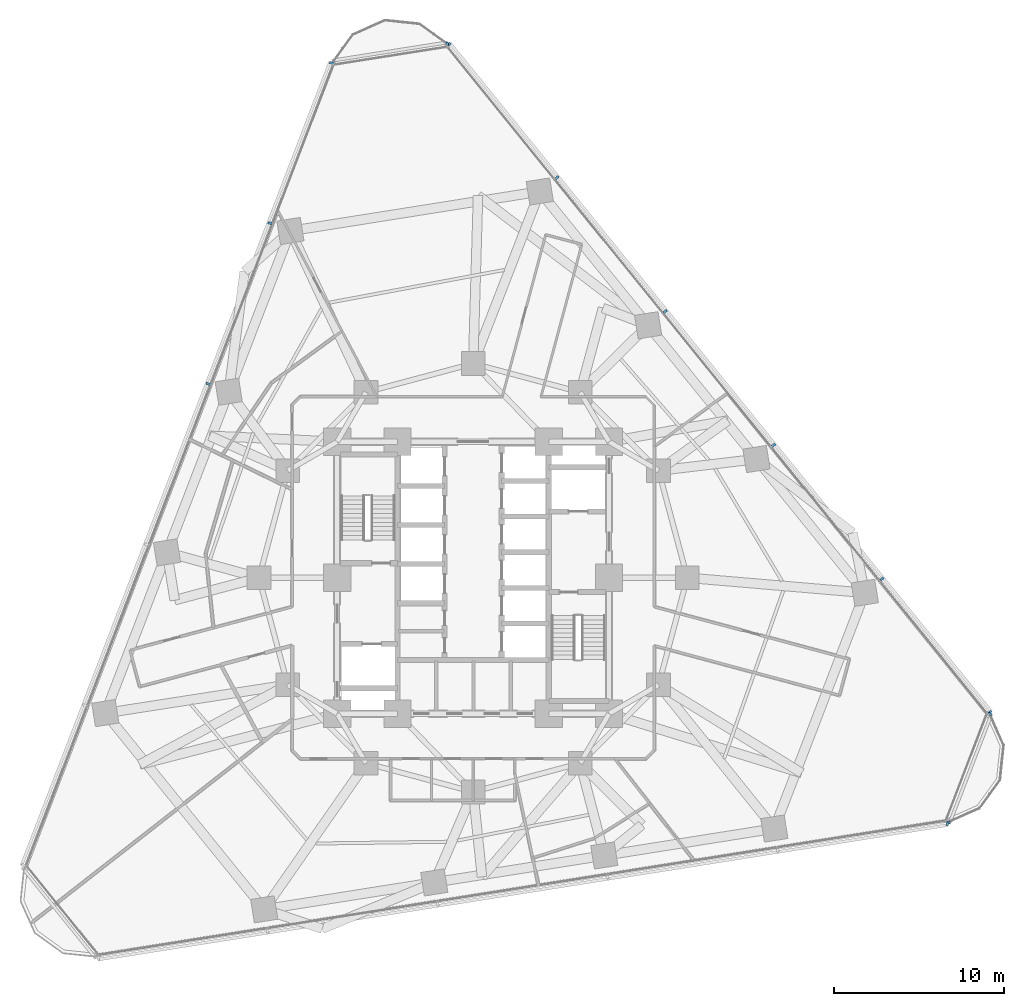
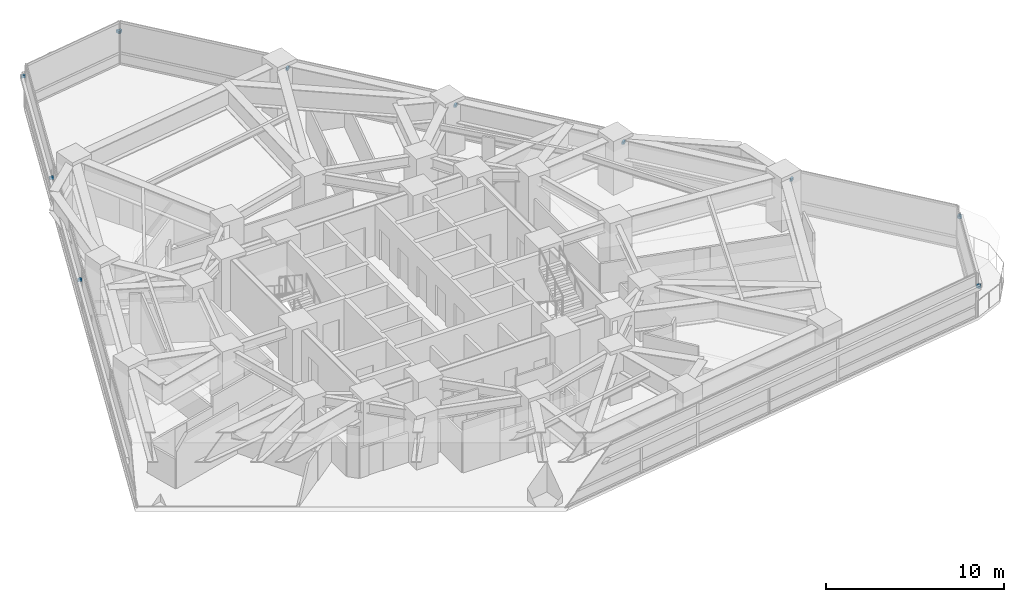
# One storey, part 10 of 13: 13 discrete accessories.
"""IFC4 building model written with IfcOpenShell, lengths in metres."""

from ifc_helpers import new_model, si_unit, direction, frame, origin, origin_2d, place, context, subcontext, project, spatial, rectangle, extrude, material, type_object, element, save


model = new_model("IFC4")

# Units and contexts
model_context = context("Model", 3, precision=1e-05, world=origin(), true_north=direction((0.0, 1.0)))
body_context = subcontext(model_context, "Body", "Model", "MODEL_VIEW")
ifc_project = project(units=[si_unit("LENGTHUNIT", "METRE"), si_unit("AREAUNIT", "SQUARE_METRE"), si_unit("VOLUMEUNIT", "CUBIC_METRE"), si_unit("PLANEANGLEUNIT", "RADIAN"), si_unit("MASSUNIT", "GRAM", prefix="KILO")], contexts=[model_context])

# Site, building, storey
site_placement = place(None, origin())
site = spatial("IfcSite", under=ifc_project, at=site_placement, CompositionType="ELEMENT")
building_placement = place(site_placement, origin())
building = spatial("IfcBuilding", under=site, at=building_placement, Name="Terralouvre Media Tower", CompositionType="ELEMENT")
storey_placement = place(building_placement, frame((0.0, 0.0, 81.5)))
storey = spatial("IfcBuildingStorey", under=building, at=storey_placement, Name="L20", CompositionType="ELEMENT", Elevation=81.5)

# Discrete accessories
ifc_material = material(Name="Anodised extruded aluminium 6063-T6", Category="aluminium")
discrete_accessory_type = type_object("IfcDiscreteAccessoryType", Name="Mullion Stand-Off Baguette Fixing Bracket BK-01", PredefinedType="BRACKET", material=ifc_material)
for number, where, z_axis, x_axis, name in (
    (1, (27.886962890625, -14.4541015625, 2.04931640625), (0.0, 0.0, 1.0), (0.987688340934, 0.156434462903, 0.0), "CW-L20-F0 Baguette Outrigger Bracket 1.06"),
    (2, (30.395751953125, -7.918701171875, 2.04931640625), (0.0, 0.0, 1.0), (-0.629320350521, 0.777145994276, 0.0), "CW-L20-F1 Baguette Outrigger Bracket 1.01"),
    (3, (24.04541015625, -0.076904296875, 2.04931640625), (0.0, 0.0, 1.0), (-0.629320350521, 0.777145994276, 0.0), "CW-L20-F1 Baguette Outrigger Bracket 1.02"),
    (4, (17.671630859375, 7.794189453125, 2.04931640625), (0.0, 0.0, 1.0), (-0.629320350521, 0.777145994276, 0.0), "CW-L20-F1 Baguette Outrigger Bracket 1.03"),
    (5, (11.2978515625, 15.6650390625, 2.04931640625), (0.0, 0.0, 1.0), (-0.629320350521, 0.777145994276, 0.0), "CW-L20-F1 Baguette Outrigger Bracket 1.04"),
    (6, (4.92431640625, 23.535888671875, 2.04931640625), (0.0, 0.0, 1.0), (-0.629320350521, 0.777145994276, 0.0), "CW-L20-F1 Baguette Outrigger Bracket 1.05"),
    (7, (-1.426025390625, 31.377685546875, 2.04931640625), (0.0, 0.0, 1.0), (-0.629320350521, 0.777145994276, 0.0), "CW-L20-F1 Baguette Outrigger Bracket 1.06"),
    (8, (-8.340087890625, 30.28271484375, 2.04931640625), (0.0, 0.0, 1.0), (-0.358367917006, -0.933580438988, 0.0), "CW-L20-F2 Baguette Outrigger Bracket 1.01"),
    (9, (-11.956298828125, 20.8623046875, 2.04931640625), (0.0, 0.0, 1.0), (-0.358367917006, -0.933580438988, 0.0), "CW-L20-F2 Baguette Outrigger Bracket 1.02"),
    (10, (-15.585693359375, 11.406982421875, 2.04931640625), (0.0, 0.0, 1.0), (-0.358367917006, -0.933580438988, 0.0), "CW-L20-F2 Baguette Outrigger Bracket 1.03"),
    (11, (27.949951171875, -14.380859375, 2.04931640625), (0.0, 0.0, 1.0), (0.358367472863, 0.933580609478, 0.0), "CW-L20-C1 Baguette Outrigger Bracket 1.01"),
    (12, (30.393310546875, -8.01513671875, 2.04931640625), (0.0, 0.0, 1.0), (0.358367472863, 0.933580609478, 0.0), "CW-L20-C1 Baguette Outrigger Bracket 1.02"),
    (13, (-1.520751953125, 31.395751953125, 2.04931640625), (0.0, 0.0, 1.0), (-0.987688353034, -0.156434386502, 0.0), "CW-L20-C2 Baguette Outrigger Bracket 1.01"),
):
    element("IfcDiscreteAccessory", number, at=place(storey_placement, frame(where, z_axis=z_axis, x_axis=x_axis)), inside=storey, type_object=discrete_accessory_type, Name=name, PredefinedType="BRACKET", context=body_context, shape_type="SweptSolid", body=[
        extrude(rectangle(XDim=0.139892578125, YDim=0.239990234375, at=origin_2d()), origin(), (0.0, 0.0, 1.0), 0.179931640625),
    ])

save(model, "model.ifc")
